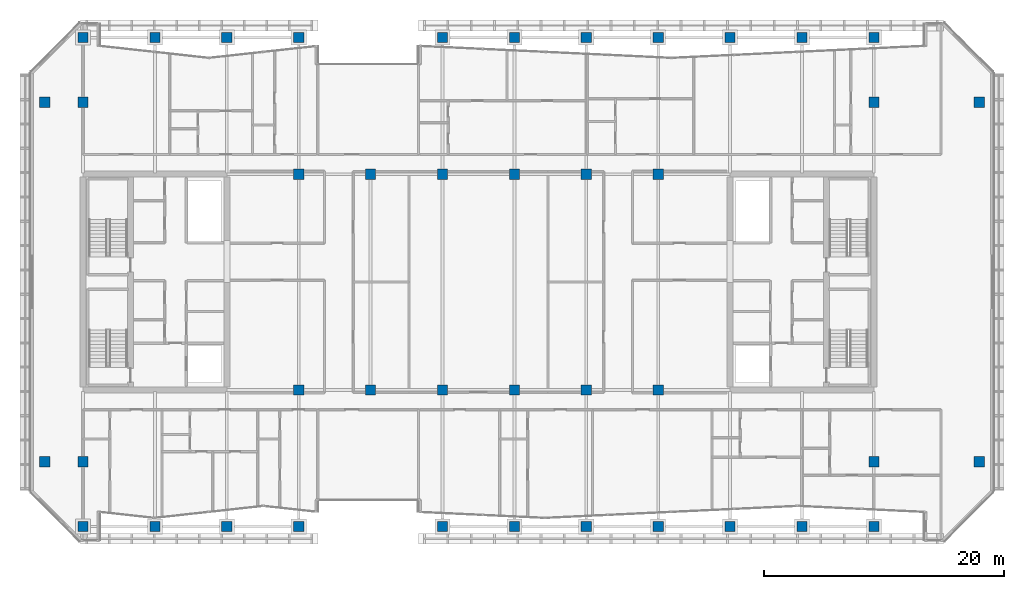
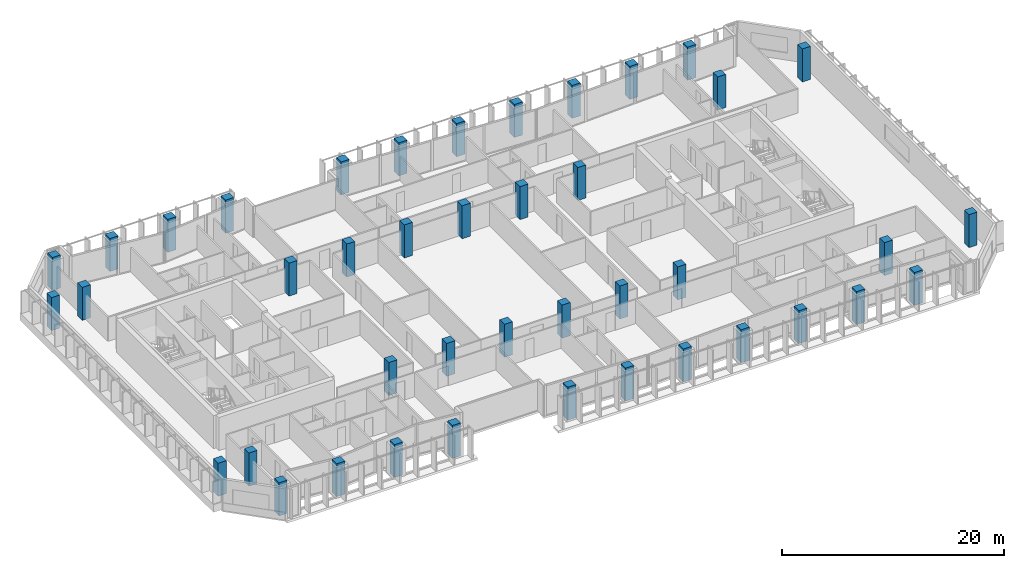
# One storey, part 1 of 29: 42 columns.
"""IFC4 building model written with IfcOpenShell, lengths in metres."""

from ifc_helpers import new_model, si_unit, direction, frame, origin, origin_2d, place, context, subcontext, project, spatial, rectangle, extrude, material, material_profile, profile_set, type_object, element, save


model = new_model("IFC4")

# Units and contexts
model_context = context("Model", 3, precision=1e-05, world=origin(), true_north=direction((0.0, 1.0)))
body_context = subcontext(model_context, "Body", "Model", "MODEL_VIEW")
ifc_project = project(units=[si_unit("LENGTHUNIT", "METRE"), si_unit("AREAUNIT", "SQUARE_METRE"), si_unit("VOLUMEUNIT", "CUBIC_METRE"), si_unit("PLANEANGLEUNIT", "RADIAN"), si_unit("MASSUNIT", "GRAM", prefix="KILO")], contexts=[model_context])

# Site, building, storey
site_placement = place(None, origin())
site = spatial("IfcSite", under=ifc_project, at=site_placement, CompositionType="ELEMENT")
building_placement = place(site_placement, origin())
building = spatial("IfcBuilding", under=site, at=building_placement, Name="Tanjung Sevakor Pilgrim Tower", CompositionType="ELEMENT")
storey_placement = place(building_placement, frame((0.0, 0.0, 162.030029296875)))
storey = spatial("IfcBuildingStorey", under=building, at=storey_placement, Name="L45", CompositionType="ELEMENT", Elevation=162.030029296875)

# Columns
ifc_material = material(Name="Concrete C60/75", Category="concrete")
ifc_material_profile = material_profile(ifc_material, rectangle(XDim=0.85009765625, YDim=0.85009765625, at=origin_2d()))
ifc_profile_set = profile_set([ifc_material_profile], Name="Concrete C60/75")
column_type = type_object("IfcColumnType", Name="COL-C-T850-RC_850x850", PredefinedType="COLUMN", material=ifc_profile_set)
for number, where, z_axis, x_axis, name in (
    (1, (42.0, 24.60009765625, 0.0), (0.0, 0.0, 1.0), (1.0, 0.0, 0.0), "L45 Column SPW-042-246"),
    (2, (42.0, 42.60009765625, 0.0), (0.0, 0.0, 1.0), (1.0, 0.0, 0.0), "L45 Column SPW-042-426"),
    (3, (48.0, 24.60009765625, 0.0), (0.0, 0.0, 1.0), (1.0, 0.0, 0.0), "L45 Column SPW-048-246"),
    (4, (48.0, 42.60009765625, 0.0), (0.0, 0.0, 1.0), (1.0, 0.0, 0.0), "L45 Column SPW-048-426"),
    (5, (54.0, 24.60009765625, 0.0), (0.0, 0.0, 1.0), (1.0, 0.0, 0.0), "L45 Column SPE-054-246"),
    (6, (54.0, 42.60009765625, 0.0), (0.0, 0.0, 1.0), (1.0, 0.0, 0.0), "L45 Column SPE-054-426"),
    (7, (60.0, 24.60009765625, 0.0), (0.0, 0.0, 1.0), (1.0, 0.0, 0.0), "L45 Column SPE-060-246"),
    (8, (60.0, 42.60009765625, 0.0), (0.0, 0.0, 1.0), (1.0, 0.0, 0.0), "L45 Column SPE-060-426"),
    (9, (66.0, 24.60009765625, 0.0), (0.0, 0.0, 1.0), (1.0, 0.0, 0.0), "L45 Column SPE-066-246"),
    (10, (66.0, 42.60009765625, 0.0), (0.0, 0.0, 1.0), (1.0, 0.0, 0.0), "L45 Column SPE-066-426"),
    (11, (72.0, 24.60009765625, 0.0), (0.0, 0.0, 1.0), (1.0, 0.0, 0.0), "L45 Column SPE-072-246"),
    (12, (72.0, 42.60009765625, 0.0), (0.0, 0.0, 1.0), (1.0, 0.0, 0.0), "L45 Column SPE-072-426"),
    (13, (20.800048828125, 18.60009765625, 0.0), (0.0, 0.0, 1.0), (1.0, 0.0, 0.0), "L45 Column TCE-0208-186"),
    (14, (20.800048828125, 48.60009765625, 0.0), (0.0, 0.0, 1.0), (1.0, 0.0, 0.0), "L45 Column TCE-0208-486"),
    (15, (24.0, 18.60009765625, 0.0), (0.0, 0.0, 1.0), (1.0, 0.0, 0.0), "L45 Column TCE-0240-186"),
    (16, (24.0, 48.60009765625, 0.0), (0.0, 0.0, 1.0), (1.0, 0.0, 0.0), "L45 Column TCE-0240-486"),
    (17, (90.0, 18.60009765625, 0.0), (0.0, 0.0, 1.0), (1.0, 0.0, 0.0), "L45 Column TCE-0900-186"),
    (18, (90.0, 48.60009765625, 0.0), (0.0, 0.0, 1.0), (1.0, 0.0, 0.0), "L45 Column TCE-0900-486"),
    (19, (98.800048828125, 18.60009765625, 0.0), (0.0, 0.0, 1.0), (1.0, 0.0, 0.0), "L45 Column TCE-0988-186"),
    (20, (98.800048828125, 48.60009765625, 0.0), (0.0, 0.0, 1.0), (1.0, 0.0, 0.0), "L45 Column TCE-0988-486"),
    (21, (24.0, 13.199951171875, 0.0), (0.0, 0.0, 1.0), (1.0, 0.0, 0.0), "L45 Column TC3-024-132"),
    (22, (24.0, 54.0, 0.0), (0.0, 0.0, 1.0), (1.0, 0.0, 0.0), "L45 Column TC3-024-540"),
    (23, (30.0, 13.199951171875, 0.0), (0.0, 0.0, 1.0), (1.0, 0.0, 0.0), "L45 Column TC3-030-132"),
    (24, (30.0, 54.0, 0.0), (0.0, 0.0, 1.0), (1.0, 0.0, 0.0), "L45 Column TC3-030-540"),
    (25, (36.0, 13.199951171875, 0.0), (0.0, 0.0, 1.0), (1.0, 0.0, 0.0), "L45 Column TC3-036-132"),
    (26, (36.0, 54.0, 0.0), (0.0, 0.0, 1.0), (1.0, 0.0, 0.0), "L45 Column TC3-036-540"),
    (27, (42.0, 13.199951171875, 0.0), (0.0, 0.0, 1.0), (1.0, 0.0, 0.0), "L45 Column TC3-042-132"),
    (28, (42.0, 54.0, 0.0), (0.0, 0.0, 1.0), (1.0, 0.0, 0.0), "L45 Column TC3-042-540"),
    (29, (54.0, 13.199951171875, 0.0), (0.0, 0.0, 1.0), (1.0, 0.0, 0.0), "L45 Column TC3-054-132"),
    (30, (54.0, 54.0, 0.0), (0.0, 0.0, 1.0), (1.0, 0.0, 0.0), "L45 Column TC3-054-540"),
    (31, (60.0, 13.199951171875, 0.0), (0.0, 0.0, 1.0), (1.0, 0.0, 0.0), "L45 Column TC3-060-132"),
    (32, (60.0, 54.0, 0.0), (0.0, 0.0, 1.0), (1.0, 0.0, 0.0), "L45 Column TC3-060-540"),
    (33, (66.0, 13.199951171875, 0.0), (0.0, 0.0, 1.0), (1.0, 0.0, 0.0), "L45 Column TC3-066-132"),
    (34, (66.0, 54.0, 0.0), (0.0, 0.0, 1.0), (1.0, 0.0, 0.0), "L45 Column TC3-066-540"),
    (35, (72.0, 13.199951171875, 0.0), (0.0, 0.0, 1.0), (1.0, 0.0, 0.0), "L45 Column TC3-072-132"),
    (36, (72.0, 54.0, 0.0), (0.0, 0.0, 1.0), (1.0, 0.0, 0.0), "L45 Column TC3-072-540"),
    (37, (78.0, 13.199951171875, 0.0), (0.0, 0.0, 1.0), (1.0, 0.0, 0.0), "L45 Column TC3-078-132"),
    (38, (78.0, 54.0, 0.0), (0.0, 0.0, 1.0), (1.0, 0.0, 0.0), "L45 Column TC3-078-540"),
    (39, (84.0, 13.199951171875, 0.0), (0.0, 0.0, 1.0), (1.0, 0.0, 0.0), "L45 Column TC3-084-132"),
    (40, (84.0, 54.0, 0.0), (0.0, 0.0, 1.0), (1.0, 0.0, 0.0), "L45 Column TC3-084-540"),
    (41, (90.0, 13.199951171875, 0.0), (0.0, 0.0, 1.0), (1.0, 0.0, 0.0), "L45 Column TC3-090-132"),
    (42, (90.0, 54.0, 0.0), (0.0, 0.0, 1.0), (1.0, 0.0, 0.0), "L45 Column TC3-090-540"),
):
    element("IfcColumn", number, at=place(storey_placement, frame(where, z_axis=z_axis, x_axis=x_axis)), inside=storey, type_object=column_type, Name=name, PredefinedType="COLUMN", context=body_context, shape_type="SweptSolid", body=[
        extrude(rectangle(XDim=0.85009765625, YDim=0.85009765625, at=origin_2d()), origin(), (0.0, 0.0, 1.0), 3.6298828125),
    ])

save(model, "model.ifc")
